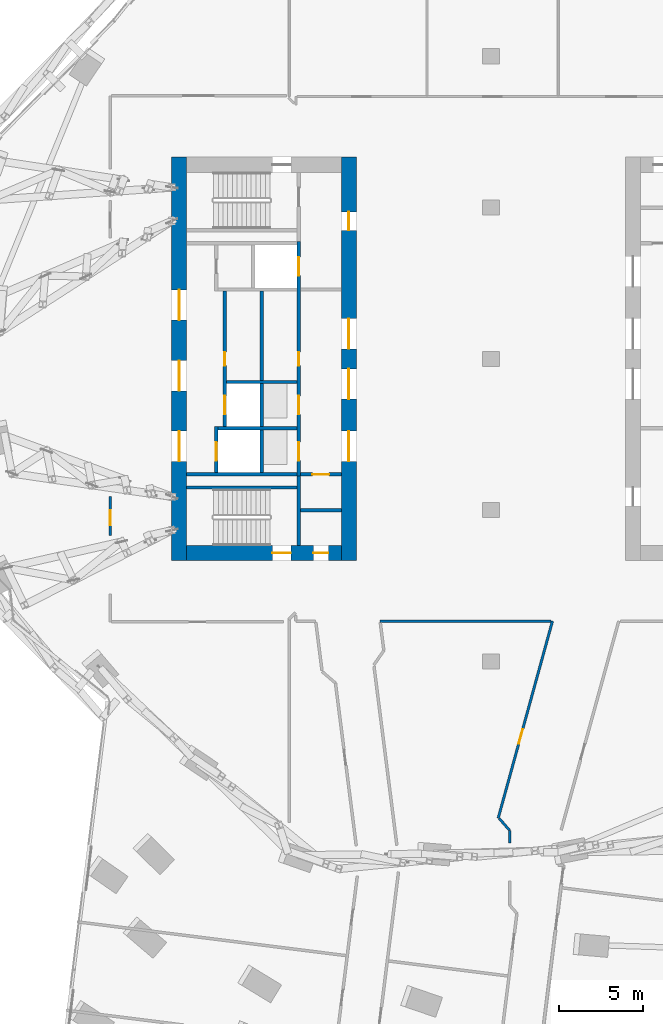
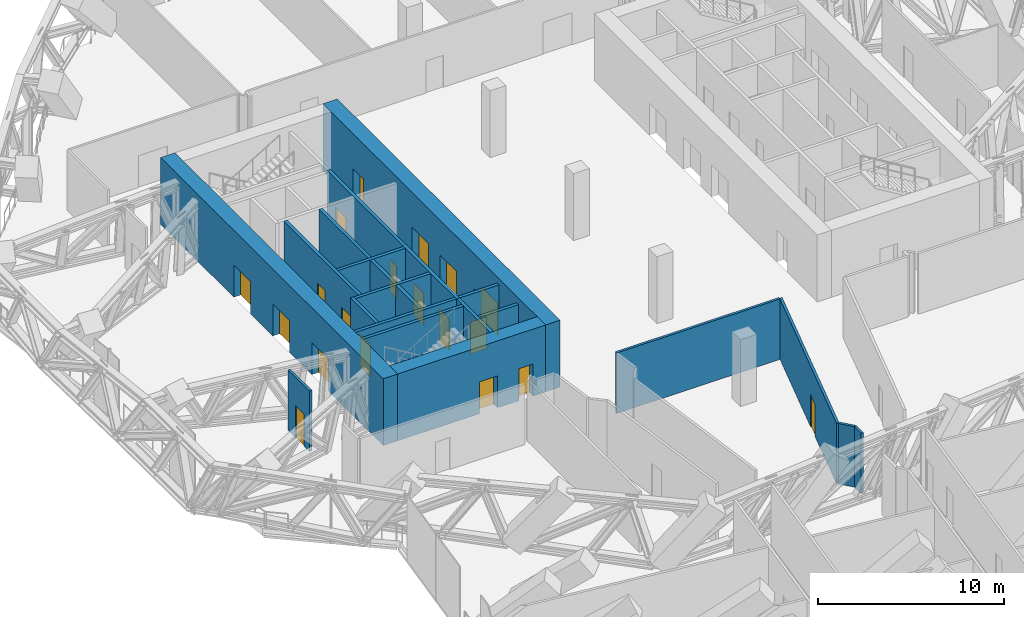
# One storey, part 19 of 27: 21 walls, 19 doors, 19 openings.
"""IFC4 building model written with IfcOpenShell, lengths in metres."""

from ifc_helpers import new_model, si_unit, direction, frame, frame_2d, origin, place, context, subcontext, project, spatial, rectangle, extrude, material, layer, layer_set, type_object, element, fill, save


model = new_model("IFC4")

# Units and contexts
model_context = context("Model", 3, precision=1e-05, world=origin(), true_north=direction((0.0, 1.0)))
body_context = subcontext(model_context, "Body", "Model", "MODEL_VIEW")
ifc_project = project(units=[si_unit("LENGTHUNIT", "METRE"), si_unit("AREAUNIT", "SQUARE_METRE"), si_unit("VOLUMEUNIT", "CUBIC_METRE"), si_unit("PLANEANGLEUNIT", "RADIAN"), si_unit("MASSUNIT", "GRAM", prefix="KILO")], contexts=[model_context])

# Site, building, storey
site_placement = place(None, origin())
site = spatial("IfcSite", under=ifc_project, at=site_placement, CompositionType="ELEMENT")
building_placement = place(site_placement, origin())
building = spatial("IfcBuilding", under=site, at=building_placement, Name="Orlundy Tower", CompositionType="ELEMENT")
storey_placement = place(building_placement, frame((0.0, 0.0, 206.10009765625)))
storey = spatial("IfcBuildingStorey", under=building, at=storey_placement, Name="L54", CompositionType="ELEMENT", Elevation=206.10009765625)

# Wall, openings, doors
ifc_material_1 = material(Name="Concrete C70/85", Category="concrete")
ifc_layer_1 = layer(ifc_material_1, 0.89990234375)
ifc_layer_set_1 = layer_set([ifc_layer_1], Name="CORE WALL 900 C70/85")
wall_type_1 = type_object("IfcWallType", Name="CORE WALL 900 C70/85", PredefinedType="SHEAR", material=ifc_layer_set_1)
wall_1_placement = place(storey_placement, frame((-18.10009765625, -11.550048828125, 0.0), z_axis=(0.0, 0.0, 1.0), x_axis=(1.0, 0.0, 0.0)))
wall_1 = element("IfcWall", 1, at=wall_1_placement, inside=storey, type_object=wall_type_1, Name="Core wall W-S L54", PredefinedType="SHEAR", context=body_context, shape_type="SweptSolid", body=[
    extrude(rectangle(XDim=9.2001953125, YDim=0.89990234375, at=frame_2d((4.60009765625, 0.0))), origin(), (0.0, 0.0, 1.0), 4.39990234375),
])
opening_1_placement = place(wall_1_placement, frame((5.10009765625, 0.0, 0.0)))
opening_1 = element("IfcOpeningElement", 2, at=opening_1_placement, cuts=wall_1, Name="Opening 41017", PredefinedType="OPENING", context=body_context, shape_type="SweptSolid", body=[
    extrude(rectangle(XDim=1.10009765625, YDim=2.10009765625, at=frame_2d((0.550048828125, 1.050048828125))), frame((0.0, 0.4599609375, 0.0), z_axis=(0.0, -1.0, 0.0), x_axis=(1.0, 0.0, 0.0)), (0.0, 0.0, 1.0), 0.919921875),
])
opening_2_placement = place(wall_1_placement, frame((7.530029296875, 0.0, 0.0)))
opening_2 = element("IfcOpeningElement", 3, at=opening_2_placement, cuts=wall_1, Name="Opening 41019", PredefinedType="OPENING", context=body_context, shape_type="SweptSolid", body=[
    extrude(rectangle(XDim=0.89990234375, YDim=2.10009765625, at=frame_2d((0.449951171875, 1.050048828125))), frame((0.0, 0.4599609375, 0.0), z_axis=(0.0, -1.0, 0.0), x_axis=(1.0, 0.0, 0.0)), (0.0, 0.0, 1.0), 0.919921875),
])
ifc_material_2 = material(Name="Timber door set", Category="wood")
door_type_1 = type_object("IfcDoorType", Name="Room Door 900x2100", OperationType="SINGLE_SWING_LEFT", PredefinedType="DOOR", material=ifc_material_2)
door_1_placement = place(opening_2_placement, origin())
door_1 = element("IfcDoor", 4, at=door_1_placement, inside=storey, type_object=door_type_1, Name="Store door 41019", OperationType="SINGLE_SWING_RIGHT", OverallHeight=2.10009765625, OverallWidth=0.89990234375, PredefinedType="DOOR", context=body_context, shape_type="SweptSolid", body=[
    extrude(rectangle(XDim=0.89990234375, YDim=2.10009765625, at=frame_2d((0.449951171875, 1.050048828125))), frame((0.0, 0.02490234375, 0.0), z_axis=(0.0, -1.0, 0.0), x_axis=(1.0, 0.0, 0.0)), (0.0, 0.0, 1.0), 0.050048828125),
])
fill(opening_2, door_1)
ifc_material_3 = material(Name="Steel door set", Category="steel")
door_type_2 = type_object("IfcDoorType", Name="Stair Door 1100x2100", OperationType="SINGLE_SWING_LEFT", PredefinedType="DOOR", material=ifc_material_3)
door_2_placement = place(opening_1_placement, origin())
door_2 = element("IfcDoor", 5, at=door_2_placement, inside=storey, type_object=door_type_2, Name="Stair door 41017", OperationType="SINGLE_SWING_RIGHT", OverallHeight=2.10009765625, OverallWidth=1.10009765625, PredefinedType="DOOR", context=body_context, shape_type="SweptSolid", body=[
    extrude(rectangle(XDim=1.10009765625, YDim=2.10009765625, at=frame_2d((0.550048828125, 1.050048828125))), frame((0.0, 0.02490234375, 0.0), z_axis=(0.0, -1.0, 0.0), x_axis=(1.0, 0.0, 0.0)), (0.0, 0.0, 1.0), 0.050048828125),
])
fill(opening_1, door_2)

wall_2_placement = place(storey_placement, frame((-18.550048828125, -12.0, 0.0), z_axis=(0.0, 0.0, 1.0), x_axis=(0.0, 1.0, 0.0)))
wall_2 = element("IfcWall", 6, at=wall_2_placement, inside=storey, type_object=wall_type_1, Name="Core wall W-W L54", PredefinedType="SHEAR", context=body_context, shape_type="SweptSolid", body=[
    extrude(rectangle(XDim=24.0, YDim=0.89990234375, at=frame_2d((12.0, 0.0))), origin(), (0.0, 0.0, 1.0), 4.39990234375),
])
opening_3_placement = place(wall_2_placement, frame((5.89990234375, 0.0, 0.0)))
opening_3 = element("IfcOpeningElement", 7, at=opening_3_placement, cuts=wall_2, Name="Opening 41010", PredefinedType="OPENING", context=body_context, shape_type="SweptSolid", body=[
    extrude(rectangle(XDim=1.800048828125, YDim=2.10009765625, at=frame_2d((0.89990234375, 1.050048828125))), frame((0.0, 0.4599609375, 0.0), z_axis=(0.0, -1.0, 0.0), x_axis=(1.0, 0.0, 0.0)), (0.0, 0.0, 1.0), 0.919921875),
])
opening_4_placement = place(wall_2_placement, frame((10.10009765625, 0.0, 0.0)))
opening_4 = element("IfcOpeningElement", 8, at=opening_4_placement, cuts=wall_2, Name="Opening 41011", PredefinedType="OPENING", context=body_context, shape_type="SweptSolid", body=[
    extrude(rectangle(XDim=1.800048828125, YDim=2.10009765625, at=frame_2d((0.89990234375, 1.050048828125))), frame((0.0, 0.4599609375, 0.0), z_axis=(0.0, -1.0, 0.0), x_axis=(1.0, 0.0, 0.0)), (0.0, 0.0, 1.0), 0.919921875),
])
opening_5_placement = place(wall_2_placement, frame((14.300048828125, 0.0, 0.0)))
opening_5 = element("IfcOpeningElement", 9, at=opening_5_placement, cuts=wall_2, Name="Opening 41012", PredefinedType="OPENING", context=body_context, shape_type="SweptSolid", body=[
    extrude(rectangle(XDim=1.800048828125, YDim=2.10009765625, at=frame_2d((0.89990234375, 1.050048828125))), frame((0.0, 0.4599609375, 0.0), z_axis=(0.0, -1.0, 0.0), x_axis=(1.0, 0.0, 0.0)), (0.0, 0.0, 1.0), 0.919921875),
])
ifc_material_4 = material(Name="Timber door set", Category="wood")
door_type_3 = type_object("IfcDoorType", Name="Lobby Door 1800x2100", OperationType="DOUBLE_DOOR_DOUBLE_SWING", PredefinedType="DOOR", material=ifc_material_4)
door_3_placement = place(opening_3_placement, origin())
door_3 = element("IfcDoor", 10, at=door_3_placement, inside=storey, type_object=door_type_3, Name="Lift lobby door 41010", OperationType="SINGLE_SWING_LEFT", OverallHeight=2.10009765625, OverallWidth=1.800048828125, PredefinedType="DOOR", context=body_context, shape_type="SweptSolid", body=[
    extrude(rectangle(XDim=1.800048828125, YDim=2.10009765625, at=frame_2d((0.89990234375, 1.050048828125))), frame((0.0, 0.02490234375, 0.0), z_axis=(0.0, -1.0, 0.0), x_axis=(1.0, 0.0, 0.0)), (0.0, 0.0, 1.0), 0.050048828125),
])
fill(opening_3, door_3)
door_4_placement = place(opening_4_placement, origin())
door_4 = element("IfcDoor", 11, at=door_4_placement, inside=storey, type_object=door_type_3, Name="Lift lobby door 41011", OperationType="SINGLE_SWING_LEFT", OverallHeight=2.10009765625, OverallWidth=1.800048828125, PredefinedType="DOOR", context=body_context, shape_type="SweptSolid", body=[
    extrude(rectangle(XDim=1.800048828125, YDim=2.10009765625, at=frame_2d((0.89990234375, 1.050048828125))), frame((0.0, 0.02490234375, 0.0), z_axis=(0.0, -1.0, 0.0), x_axis=(1.0, 0.0, 0.0)), (0.0, 0.0, 1.0), 0.050048828125),
])
fill(opening_4, door_4)
door_5_placement = place(opening_5_placement, origin())
door_5 = element("IfcDoor", 12, at=door_5_placement, inside=storey, type_object=door_type_3, Name="Lift lobby door 41012", OperationType="SINGLE_SWING_RIGHT", OverallHeight=2.10009765625, OverallWidth=1.800048828125, PredefinedType="DOOR", context=body_context, shape_type="SweptSolid", body=[
    extrude(rectangle(XDim=1.800048828125, YDim=2.10009765625, at=frame_2d((0.89990234375, 1.050048828125))), frame((0.0, 0.02490234375, 0.0), z_axis=(0.0, -1.0, 0.0), x_axis=(1.0, 0.0, 0.0)), (0.0, 0.0, 1.0), 0.050048828125),
])
fill(opening_5, door_5)

wall_3_placement = place(storey_placement, frame((-8.449951171875, -12.0, 0.0), z_axis=(0.0, 0.0, 1.0), x_axis=(0.0, 1.0, 0.0)))
wall_3 = element("IfcWall", 13, at=wall_3_placement, inside=storey, type_object=wall_type_1, Name="Core wall W-E L54", PredefinedType="SHEAR", context=body_context, shape_type="SweptSolid", body=[
    extrude(rectangle(XDim=24.0, YDim=0.89990234375, at=frame_2d((12.0, 0.0))), origin(), (0.0, 0.0, 1.0), 4.39990234375),
])
opening_6_placement = place(wall_3_placement, frame((9.60009765625, 0.0, 0.0)))
opening_6 = element("IfcOpeningElement", 14, at=opening_6_placement, cuts=wall_3, Name="Opening 41009", PredefinedType="OPENING", context=body_context, shape_type="SweptSolid", body=[
    extrude(rectangle(XDim=1.800048828125, YDim=2.10009765625, at=frame_2d((0.89990234375, 1.050048828125))), frame((0.0, 0.4599609375, 0.0), z_axis=(0.0, -1.0, 0.0), x_axis=(1.0, 0.0, 0.0)), (0.0, 0.0, 1.0), 0.919921875),
])
opening_7_placement = place(wall_3_placement, frame((5.89990234375, 0.0, 0.0)))
opening_7 = element("IfcOpeningElement", 15, at=opening_7_placement, cuts=wall_3, Name="Opening 41013", PredefinedType="OPENING", context=body_context, shape_type="SweptSolid", body=[
    extrude(rectangle(XDim=1.800048828125, YDim=2.10009765625, at=frame_2d((0.89990234375, 1.050048828125))), frame((0.0, 0.4599609375, 0.0), z_axis=(0.0, -1.0, 0.0), x_axis=(1.0, 0.0, 0.0)), (0.0, 0.0, 1.0), 0.919921875),
])
opening_8_placement = place(wall_3_placement, frame((12.60009765625, 0.0, 0.0)))
opening_8 = element("IfcOpeningElement", 16, at=opening_8_placement, cuts=wall_3, Name="Opening 41014", PredefinedType="OPENING", context=body_context, shape_type="SweptSolid", body=[
    extrude(rectangle(XDim=1.800048828125, YDim=2.10009765625, at=frame_2d((0.89990234375, 1.050048828125))), frame((0.0, 0.4599609375, 0.0), z_axis=(0.0, -1.0, 0.0), x_axis=(1.0, 0.0, 0.0)), (0.0, 0.0, 1.0), 0.919921875),
])
opening_9_placement = place(wall_3_placement, frame((19.64990234375, 0.0, 0.0)))
opening_9 = element("IfcOpeningElement", 17, at=opening_9_placement, cuts=wall_3, Name="Opening 41015", PredefinedType="OPENING", context=body_context, shape_type="SweptSolid", body=[
    extrude(rectangle(XDim=1.10009765625, YDim=2.10009765625, at=frame_2d((0.550048828125, 1.050048828125))), frame((0.0, 0.4599609375, 0.0), z_axis=(0.0, -1.0, 0.0), x_axis=(1.0, 0.0, 0.0)), (0.0, 0.0, 1.0), 0.919921875),
])
ifc_material_5 = material(Name="Steel door set", Category="steel")
door_type_4 = type_object("IfcDoorType", Name="Fire-fighting Lobby Door 1100x2100", OperationType="SINGLE_SWING_LEFT", PredefinedType="DOOR", material=ifc_material_5)
door_6_placement = place(opening_9_placement, origin())
door_6 = element("IfcDoor", 18, at=door_6_placement, inside=storey, type_object=door_type_4, Name="Fire-fighting lobby door 41015", OperationType="SINGLE_SWING_RIGHT", OverallHeight=2.10009765625, OverallWidth=1.10009765625, PredefinedType="DOOR", context=body_context, shape_type="SweptSolid", body=[
    extrude(rectangle(XDim=1.10009765625, YDim=2.10009765625, at=frame_2d((0.550048828125, 1.050048828125))), frame((0.0, 0.02490234375, 0.0), z_axis=(0.0, -1.0, 0.0), x_axis=(1.0, 0.0, 0.0)), (0.0, 0.0, 1.0), 0.050048828125),
])
fill(opening_9, door_6)
door_7_placement = place(opening_6_placement, origin())
door_7 = element("IfcDoor", 19, at=door_7_placement, inside=storey, type_object=door_type_3, Name="Lift lobby door 41009", OperationType="SINGLE_SWING_LEFT", OverallHeight=2.10009765625, OverallWidth=1.800048828125, PredefinedType="DOOR", context=body_context, shape_type="SweptSolid", body=[
    extrude(rectangle(XDim=1.800048828125, YDim=2.10009765625, at=frame_2d((0.89990234375, 1.050048828125))), frame((0.0, 0.02490234375, 0.0), z_axis=(0.0, -1.0, 0.0), x_axis=(1.0, 0.0, 0.0)), (0.0, 0.0, 1.0), 0.050048828125),
])
fill(opening_6, door_7)
door_8_placement = place(opening_7_placement, origin())
door_8 = element("IfcDoor", 20, at=door_8_placement, inside=storey, type_object=door_type_3, Name="Lift lobby door 41013", OperationType="SINGLE_SWING_LEFT", OverallHeight=2.10009765625, OverallWidth=1.800048828125, PredefinedType="DOOR", context=body_context, shape_type="SweptSolid", body=[
    extrude(rectangle(XDim=1.800048828125, YDim=2.10009765625, at=frame_2d((0.89990234375, 1.050048828125))), frame((0.0, 0.02490234375, 0.0), z_axis=(0.0, -1.0, 0.0), x_axis=(1.0, 0.0, 0.0)), (0.0, 0.0, 1.0), 0.050048828125),
])
fill(opening_7, door_8)
door_9_placement = place(opening_8_placement, origin())
door_9 = element("IfcDoor", 21, at=door_9_placement, inside=storey, type_object=door_type_3, Name="Lift lobby door 41014", OperationType="SINGLE_SWING_RIGHT", OverallHeight=2.10009765625, OverallWidth=1.800048828125, PredefinedType="DOOR", context=body_context, shape_type="SweptSolid", body=[
    extrude(rectangle(XDim=1.800048828125, YDim=2.10009765625, at=frame_2d((0.89990234375, 1.050048828125))), frame((0.0, 0.02490234375, 0.0), z_axis=(0.0, -1.0, 0.0), x_axis=(1.0, 0.0, 0.0)), (0.0, 0.0, 1.0), 0.050048828125),
])
fill(opening_8, door_9)

# Walls
ifc_material_6 = material(Name="Blockwork shaft wall", Category="masonry")
ifc_layer_2 = layer(ifc_material_6, 0.14990234375)
ifc_layer_set_2 = layer_set([ifc_layer_2], Name="Floor shaft wall 150")
wall_type_2 = type_object("IfcWallType", Name="Floor shaft wall 150", PredefinedType="PARTITIONING", material=ifc_layer_set_2)
wall_4_placement = place(storey_placement, frame((0.501953125, -27.35205078125, 0.0), z_axis=(0.0, 0.0, 1.0), x_axis=(0.656507674583, -0.754319344319, 0.0)))
element("IfcWall", 22, at=wall_4_placement, inside=storey, type_object=wall_type_2, Name="wall-int-L54-008", PredefinedType="PARTITIONING", context=body_context, shape_type="SweptSolid", body=[
    extrude(rectangle(XDim=0.91845703125, YDim=0.14990234375, at=frame_2d((0.459228515625, 0.0))), origin(), (0.0, 0.0, 1.0), 3.97998046875),
])
wall_5_placement = place(storey_placement, frame((-6.594970703125, -15.60009765625, 0.0), z_axis=(0.0, 0.0, 1.0), x_axis=(1.0, 0.0, 0.0)))
element("IfcWall", 23, at=wall_5_placement, inside=storey, type_object=wall_type_2, Name="wall-int-L54-026", PredefinedType="PARTITIONING", context=body_context, shape_type="SweptSolid", body=[
    extrude(rectangle(XDim=10.156982421875, YDim=0.14990234375, at=frame_2d((5.07861328125, 0.0))), origin(), (0.0, 0.0, 1.0), 3.97998046875),
])

# Wall, opening, door
wall_6_placement = place(storey_placement, frame((0.429931640625, -27.33203125, 0.0), z_axis=(0.0, 0.0, 1.0), x_axis=(0.265459601419, 0.964121983991, 0.0)))
wall_6 = element("IfcWall", 24, at=wall_6_placement, inside=storey, type_object=wall_type_2, Name="wall-int-L54-039", PredefinedType="PARTITIONING", context=body_context, shape_type="SweptSolid", body=[
    extrude(rectangle(XDim=12.16748046875, YDim=0.14990234375, at=frame_2d((6.083740234375, 0.0))), origin(), (0.0, 0.0, 1.0), 3.97998046875),
])
opening_10_placement = place(wall_6_placement, frame((4.60009765625, 0.0, 0.0)))
opening_10 = element("IfcOpeningElement", 25, at=opening_10_placement, cuts=wall_6, Name="Opening 41115", PredefinedType="OPENING", context=body_context, shape_type="SweptSolid", body=[
    extrude(rectangle(XDim=0.89990234375, YDim=2.10009765625, at=frame_2d((0.449951171875, 1.050048828125))), frame((0.0, 0.0849609375, 0.0), z_axis=(0.0, -1.0, 0.0), x_axis=(1.0, 0.0, 0.0)), (0.0, 0.0, 1.0), 0.169921875),
])
ifc_material_7 = material(Name="Timber door leaf", Category="wood")
door_type_5 = type_object("IfcDoorType", Name="Floor door single 900 FD60", OperationType="NOTDEFINED", PredefinedType="DOOR", material=ifc_material_7)
door_10_placement = place(opening_10_placement, origin())
door_10 = element("IfcDoor", 26, at=door_10_placement, inside=storey, type_object=door_type_5, Name="Door 41115", OperationType="SINGLE_SWING_LEFT", OverallHeight=2.10009765625, OverallWidth=0.89990234375, PredefinedType="DOOR", context=body_context, shape_type="SweptSolid", body=[
    extrude(rectangle(XDim=0.89990234375, YDim=2.10009765625, at=frame_2d((0.449951171875, 1.050048828125))), frame((0.0, 0.02490234375, 0.0), z_axis=(0.0, -1.0, 0.0), x_axis=(1.0, 0.0, 0.0)), (0.0, 0.0, 1.0), 0.050048828125),
])
fill(opening_10, door_10)

# Wall
wall_7_placement = place(storey_placement, frame((1.10498046875, -28.79296875, 0.0), z_axis=(0.0, 0.0, 1.0), x_axis=(0.0, 1.0, 0.0)))
element("IfcWall", 27, at=wall_7_placement, inside=storey, type_object=wall_type_2, Name="wall-int-L54-061", PredefinedType="PARTITIONING", context=body_context, shape_type="SweptSolid", body=[
    extrude(rectangle(XDim=0.748046875, YDim=0.14990234375, at=frame_2d((0.3740234375, 0.0))), origin(), (0.0, 0.0, 1.0), 3.97998046875),
])

# Wall, opening, door
wall_8_placement = place(storey_placement, frame((-22.64990234375, -10.493896484375, 0.0), z_axis=(0.0, 0.0, 1.0), x_axis=(0.0, 1.0, 0.0)))
wall_8 = element("IfcWall", 28, at=wall_8_placement, inside=storey, type_object=wall_type_2, Name="wall-int-L54-067", PredefinedType="PARTITIONING", context=body_context, shape_type="SweptSolid", body=[
    extrude(rectangle(XDim=2.296875, YDim=0.14990234375, at=frame_2d((1.1484375, 0.0))), origin(), (0.0, 0.0, 1.0), 3.97998046875),
])
opening_11_placement = place(wall_8_placement, frame((0.60009765625, 0.0, 0.0)))
opening_11 = element("IfcOpeningElement", 29, at=opening_11_placement, cuts=wall_8, Name="Opening 41112", PredefinedType="OPENING", context=body_context, shape_type="SweptSolid", body=[
    extrude(rectangle(XDim=0.89990234375, YDim=2.10009765625, at=frame_2d((0.449951171875, 1.050048828125))), frame((0.0, 0.0849609375, 0.0), z_axis=(0.0, -1.0, 0.0), x_axis=(1.0, 0.0, 0.0)), (0.0, 0.0, 1.0), 0.169921875),
])
door_11_placement = place(opening_11_placement, origin())
door_11 = element("IfcDoor", 30, at=door_11_placement, inside=storey, type_object=door_type_5, Name="Door 41112", OperationType="SINGLE_SWING_LEFT", OverallHeight=2.10009765625, OverallWidth=0.89990234375, PredefinedType="DOOR", context=body_context, shape_type="SweptSolid", body=[
    extrude(rectangle(XDim=0.89990234375, YDim=2.10009765625, at=frame_2d((0.449951171875, 1.050048828125))), frame((0.0, 0.02490234375, 0.0), z_axis=(0.0, -1.0, 0.0), x_axis=(1.0, 0.0, 0.0)), (0.0, 0.0, 1.0), 0.050048828125),
])
fill(opening_11, door_11)

# Walls
ifc_material_8 = material(Name="Concrete C40/50", Category="concrete")
ifc_layer_3 = layer(ifc_material_8, 0.199951171875)
ifc_layer_set_3 = layer_set([ifc_layer_3], Name="Load-bearing Shaft Wall 200")
wall_type_3 = type_object("IfcWallType", Name="Load-bearing Shaft Wall 200", PredefinedType="SOLIDWALL", material=ifc_layer_set_3)
wall_9_placement = place(storey_placement, frame((-11.43994140625, -11.10009765625, 0.0), z_axis=(0.0, 0.0, 1.0), x_axis=(0.0, 1.0, 0.0)))
element("IfcWall", 31, at=wall_9_placement, inside=storey, type_object=wall_type_3, Name="Shaft wall W41-stair-end-s", PredefinedType="SOLIDWALL", context=body_context, shape_type="SweptSolid", body=[
    extrude(rectangle(XDim=4.125, YDim=0.199951171875, at=frame_2d((2.0625, 0.0))), origin(), (0.0, 0.0, 1.0), 3.989990234375),
])
wall_10_placement = place(storey_placement, frame((-11.5400390625, -7.64990234375, 0.0), z_axis=(0.0, 0.0, 1.0), x_axis=(-1.0, 0.0, 0.0)))
element("IfcWall", 32, at=wall_10_placement, inside=storey, type_object=wall_type_3, Name="Shaft wall W41-stair-side-s", PredefinedType="SOLIDWALL", context=body_context, shape_type="SweptSolid", body=[
    extrude(rectangle(XDim=6.56005859375, YDim=0.199951171875, at=frame_2d((3.280029296875, 0.0))), origin(), (0.0, 0.0, 1.0), 3.989990234375),
])

# Wall, opening, door
ifc_material_9 = material(Name="Gypsum board partition on steel studs", Category="steel")
ifc_layer_4 = layer(ifc_material_9, 0.199951171875)
ifc_layer_set_4 = layer_set([ifc_layer_4], Name="Partition 200")
wall_type_4 = type_object("IfcWallType", Name="Partition 200", PredefinedType="PARTITIONING", material=ifc_layer_set_4)
wall_11_placement = place(storey_placement, frame((-8.89990234375, -6.875, 0.0), z_axis=(0.0, 0.0, 1.0), x_axis=(-1.0, 0.0, 0.0)))
wall_11 = element("IfcWall", 33, at=wall_11_placement, inside=storey, type_object=wall_type_4, Name="Partition wall W41-end-s", PredefinedType="PARTITIONING", context=body_context, shape_type="SweptSolid", body=[
    extrude(rectangle(XDim=2.440185546875, YDim=0.199951171875, at=frame_2d((1.22021484375, 0.0))), origin(), (0.0, 0.0, 1.0), 3.989990234375),
])
opening_12_placement = place(wall_11_placement, frame((0.719970703125, 0.0, 0.0)))
opening_12 = element("IfcOpeningElement", 34, at=opening_12_placement, cuts=wall_11, Name="Opening 41020", PredefinedType="OPENING", context=body_context, shape_type="SweptSolid", body=[
    extrude(rectangle(XDim=1.0, YDim=2.10009765625, at=frame_2d((0.5, 1.050048828125))), frame((0.0, 0.110107421875, 0.0), z_axis=(0.0, -1.0, 0.0), x_axis=(1.0, 0.0, 0.0)), (0.0, 0.0, 1.0), 0.22021484375),
])
ifc_material_10 = material(Name="Timber door set", Category="wood")
door_type_6 = type_object("IfcDoorType", Name="Accessible Door 1000x2100", OperationType="SINGLE_SWING_LEFT", PredefinedType="DOOR", material=ifc_material_10)
door_12_placement = place(opening_12_placement, origin())
door_12 = element("IfcDoor", 35, at=door_12_placement, inside=storey, type_object=door_type_6, Name="Accessible WC door 41020", OperationType="SINGLE_SWING_RIGHT", OverallHeight=2.10009765625, OverallWidth=1.0, PredefinedType="DOOR", context=body_context, shape_type="SweptSolid", body=[
    extrude(rectangle(XDim=1.0, YDim=2.10009765625, at=frame_2d((0.5, 1.050048828125))), frame((0.0, 0.02490234375, 0.0), z_axis=(0.0, -1.0, 0.0), x_axis=(1.0, 0.0, 0.0)), (0.0, 0.0, 1.0), 0.050048828125),
])
fill(opening_12, door_12)

# Walls
wall_12_placement = place(storey_placement, frame((-8.89990234375, -9.0, 0.0), z_axis=(0.0, 0.0, 1.0), x_axis=(-1.0, 0.0, 0.0)))
element("IfcWall", 36, at=wall_12_placement, inside=storey, type_object=wall_type_4, Name="Partition wall W41-room-s0", PredefinedType="PARTITIONING", context=body_context, shape_type="SweptSolid", body=[
    extrude(rectangle(XDim=2.440185546875, YDim=0.199951171875, at=frame_2d((1.22021484375, 0.0))), origin(), (0.0, 0.0, 1.0), 3.989990234375),
])
ifc_material_11 = material(Name="Fire-rated blockwork shaft wall", Category="masonry")
ifc_layer_5 = layer(ifc_material_11, 0.199951171875)
ifc_layer_set_5 = layer_set([ifc_layer_5], Name="Shaft Wall 200")
wall_type_5 = type_object("IfcWallType", Name="Shaft Wall 200", PredefinedType="SOLIDWALL", material=ifc_layer_set_5)
wall_13_placement = place(storey_placement, frame((-11.5400390625, -6.875, 0.0), z_axis=(0.0, 0.0, 1.0), x_axis=(-1.0, 0.0, 0.0)))
element("IfcWall", 37, at=wall_13_placement, inside=storey, type_object=wall_type_5, Name="Shaft wall W41-zone-s", PredefinedType="SOLIDWALL", context=body_context, shape_type="SweptSolid", body=[
    extrude(rectangle(XDim=6.56005859375, YDim=0.199951171875, at=frame_2d((3.280029296875, 0.0))), origin(), (0.0, 0.0, 1.0), 3.989990234375),
])
wall_14_placement = place(storey_placement, frame((-11.5400390625, -4.125, 0.0), z_axis=(0.0, 0.0, 1.0), x_axis=(-1.0, 0.0, 0.0)))
element("IfcWall", 38, at=wall_14_placement, inside=storey, type_object=wall_type_5, Name="Shaft wall W41-cross-4.125", PredefinedType="SOLIDWALL", context=body_context, shape_type="SweptSolid", body=[
    extrude(rectangle(XDim=4.699951171875, YDim=0.199951171875, at=frame_2d((2.35009765625, 0.0))), origin(), (0.0, 0.0, 1.0), 3.989990234375),
])
wall_15_placement = place(storey_placement, frame((-11.5400390625, -1.375, 0.0), z_axis=(0.0, 0.0, 1.0), x_axis=(-1.0, 0.0, 0.0)))
element("IfcWall", 39, at=wall_15_placement, inside=storey, type_object=wall_type_5, Name="Shaft wall W41-cross-1.375", PredefinedType="SOLIDWALL", context=body_context, shape_type="SweptSolid", body=[
    extrude(rectangle(XDim=4.199951171875, YDim=0.199951171875, at=frame_2d((2.10009765625, 0.0))), origin(), (0.0, 0.0, 1.0), 3.989990234375),
])

# Wall, openings, doors
wall_16_placement = place(storey_placement, frame((-11.43994140625, -6.97509765625, 0.0), z_axis=(0.0, 0.0, 1.0), x_axis=(0.0, 1.0, 0.0)))
wall_16 = element("IfcWall", 40, at=wall_16_placement, inside=storey, type_object=wall_type_5, Name="Shaft wall W41-front-h", PredefinedType="SOLIDWALL", context=body_context, shape_type="SweptSolid", body=[
    extrude(rectangle(XDim=13.9501953125, YDim=0.199951171875, at=frame_2d((6.97509765625, 0.0))), origin(), (0.0, 0.0, 1.0), 3.989990234375),
])
opening_13_placement = place(wall_16_placement, frame((0.925048828125, 0.0, 0.0)))
opening_13 = element("IfcOpeningElement", 41, at=opening_13_placement, cuts=wall_16, Name="Opening 41001", PredefinedType="OPENING", context=body_context, shape_type="SweptSolid", body=[
    extrude(rectangle(XDim=1.10009765625, YDim=2.10009765625, at=frame_2d((0.550048828125, 1.050048828125))), frame((0.0, 0.110107421875, 0.0), z_axis=(0.0, -1.0, 0.0), x_axis=(1.0, 0.0, 0.0)), (0.0, 0.0, 1.0), 0.22021484375),
])
opening_14_placement = place(wall_16_placement, frame((3.675048828125, 0.0, 0.0)))
opening_14 = element("IfcOpeningElement", 42, at=opening_14_placement, cuts=wall_16, Name="Opening 41003", PredefinedType="OPENING", context=body_context, shape_type="SweptSolid", body=[
    extrude(rectangle(XDim=1.10009765625, YDim=2.10009765625, at=frame_2d((0.550048828125, 1.050048828125))), frame((0.0, 0.110107421875, 0.0), z_axis=(0.0, -1.0, 0.0), x_axis=(1.0, 0.0, 0.0)), (0.0, 0.0, 1.0), 0.22021484375),
])
opening_15_placement = place(wall_16_placement, frame((11.925048828125, 0.0, 0.0)))
opening_15 = element("IfcOpeningElement", 43, at=opening_15_placement, cuts=wall_16, Name="Opening 41005", PredefinedType="OPENING", context=body_context, shape_type="SweptSolid", body=[
    extrude(rectangle(XDim=1.10009765625, YDim=2.10009765625, at=frame_2d((0.550048828125, 1.050048828125))), frame((0.0, 0.110107421875, 0.0), z_axis=(0.0, -1.0, 0.0), x_axis=(1.0, 0.0, 0.0)), (0.0, 0.0, 1.0), 0.22021484375),
])
opening_16_placement = place(wall_16_placement, frame((6.574951171875, 0.0, 0.0)))
opening_16 = element("IfcOpeningElement", 44, at=opening_16_placement, cuts=wall_16, Name="Opening 41006", PredefinedType="OPENING", context=body_context, shape_type="SweptSolid", body=[
    extrude(rectangle(XDim=0.800048828125, YDim=2.10009765625, at=frame_2d((0.39990234375, 1.050048828125))), frame((0.0, 0.110107421875, 0.0), z_axis=(0.0, -1.0, 0.0), x_axis=(1.0, 0.0, 0.0)), (0.0, 0.0, 1.0), 0.22021484375),
])
ifc_material_12 = material(Name="Steel door set", Category="steel")
door_type_7 = type_object("IfcDoorType", Name="Landing Door 1100x2100", OperationType="DOUBLE_DOOR_SLIDING", PredefinedType="DOOR", material=ifc_material_12)
door_13_placement = place(opening_13_placement, origin())
door_13 = element("IfcDoor", 45, at=door_13_placement, inside=storey, type_object=door_type_7, Name="Lift landing door LP-22 41001", OperationType="DOUBLE_DOOR_SLIDING", OverallHeight=2.10009765625, OverallWidth=1.10009765625, PredefinedType="DOOR", context=body_context, shape_type="SweptSolid", body=[
    extrude(rectangle(XDim=1.10009765625, YDim=2.10009765625, at=frame_2d((0.550048828125, 1.050048828125))), frame((0.0, 0.02490234375, 0.0), z_axis=(0.0, -1.0, 0.0), x_axis=(1.0, 0.0, 0.0)), (0.0, 0.0, 1.0), 0.050048828125),
])
fill(opening_13, door_13)
door_14_placement = place(opening_14_placement, origin())
door_14 = element("IfcDoor", 46, at=door_14_placement, inside=storey, type_object=door_type_7, Name="Lift landing door LP-21 41003", OperationType="DOUBLE_DOOR_SLIDING", OverallHeight=2.10009765625, OverallWidth=1.10009765625, PredefinedType="DOOR", context=body_context, shape_type="SweptSolid", body=[
    extrude(rectangle(XDim=1.10009765625, YDim=2.10009765625, at=frame_2d((0.550048828125, 1.050048828125))), frame((0.0, 0.02490234375, 0.0), z_axis=(0.0, -1.0, 0.0), x_axis=(1.0, 0.0, 0.0)), (0.0, 0.0, 1.0), 0.050048828125),
])
fill(opening_14, door_14)
door_15_placement = place(opening_15_placement, origin())
door_15 = element("IfcDoor", 47, at=door_15_placement, inside=storey, type_object=door_type_7, Name="Lift landing door FL1 41005", OperationType="DOUBLE_DOOR_SLIDING", OverallHeight=2.10009765625, OverallWidth=1.10009765625, PredefinedType="DOOR", context=body_context, shape_type="SweptSolid", body=[
    extrude(rectangle(XDim=1.10009765625, YDim=2.10009765625, at=frame_2d((0.550048828125, 1.050048828125))), frame((0.0, 0.02490234375, 0.0), z_axis=(0.0, -1.0, 0.0), x_axis=(1.0, 0.0, 0.0)), (0.0, 0.0, 1.0), 0.050048828125),
])
fill(opening_15, door_15)
ifc_material_13 = material(Name="Timber door set", Category="wood")
door_type_8 = type_object("IfcDoorType", Name="Riser Door 800x2100", OperationType="SINGLE_SWING_LEFT", PredefinedType="DOOR", material=ifc_material_13)
door_16_placement = place(opening_16_placement, origin())
door_16 = element("IfcDoor", 48, at=door_16_placement, inside=storey, type_object=door_type_8, Name="Records Store door 41006", OperationType="SINGLE_SWING_LEFT", OverallHeight=2.10009765625, OverallWidth=0.800048828125, PredefinedType="DOOR", context=body_context, shape_type="SweptSolid", body=[
    extrude(rectangle(XDim=0.800048828125, YDim=2.10009765625, at=frame_2d((0.39990234375, 1.050048828125))), frame((0.0, 0.02490234375, 0.0), z_axis=(0.0, -1.0, 0.0), x_axis=(1.0, 0.0, 0.0)), (0.0, 0.0, 1.0), 0.050048828125),
])
fill(opening_16, door_16)

# Walls
for number, where, z_axis, x_axis, name in (
    (49, (-13.639892578125, -6.77490234375, 0.0), (0.0, 0.0, 1.0), (0.0, 1.0, 0.0), "Shaft wall W41-mid-a"),
    (50, (-13.639892578125, -4.02490234375, 0.0), (0.0, 0.0, 1.0), (0.0, 1.0, 0.0), "Shaft wall W41-mid-a.1"),
):
    element("IfcWall", number, at=place(storey_placement, frame(where, z_axis=z_axis, x_axis=x_axis)), inside=storey, type_object=wall_type_5, Name=name, PredefinedType="SOLIDWALL", context=body_context, shape_type="SweptSolid", body=[
        extrude(rectangle(XDim=2.5498046875, YDim=0.199951171875, at=frame_2d((1.27490234375, 0.0))), origin(), (0.0, 0.0, 1.0), 3.989990234375),
    ])
wall_17_placement = place(storey_placement, frame((-13.639892578125, -1.27490234375, 0.0), z_axis=(0.0, 0.0, 1.0), x_axis=(0.0, 1.0, 0.0)))
element("IfcWall", 51, at=wall_17_placement, inside=storey, type_object=wall_type_5, Name="Shaft wall W41-mid-a.2", PredefinedType="SOLIDWALL", context=body_context, shape_type="SweptSolid", body=[
    extrude(rectangle(XDim=5.2998046875, YDim=0.199951171875, at=frame_2d((2.64990234375, 0.0))), origin(), (0.0, 0.0, 1.0), 3.989990234375),
])

# Wall, opening, door
wall_18_placement = place(storey_placement, frame((-16.340087890625, -6.77490234375, 0.0), z_axis=(0.0, 0.0, 1.0), x_axis=(0.0, 1.0, 0.0)))
wall_18 = element("IfcWall", 52, at=wall_18_placement, inside=storey, type_object=wall_type_5, Name="Shaft wall W41-front-o-a", PredefinedType="SOLIDWALL", context=body_context, shape_type="SweptSolid", body=[
    extrude(rectangle(XDim=2.75, YDim=0.199951171875, at=frame_2d((1.375, 0.0))), origin(), (0.0, 0.0, 1.0), 3.989990234375),
])
opening_17_placement = place(wall_18_placement, frame((0.72509765625, 0.0, 0.0)))
opening_17 = element("IfcOpeningElement", 53, at=opening_17_placement, cuts=wall_18, Name="Opening 41002", PredefinedType="OPENING", context=body_context, shape_type="SweptSolid", body=[
    extrude(rectangle(XDim=1.10009765625, YDim=2.10009765625, at=frame_2d((0.550048828125, 1.050048828125))), frame((0.0, 0.110107421875, 0.0), z_axis=(0.0, -1.0, 0.0), x_axis=(1.0, 0.0, 0.0)), (0.0, 0.0, 1.0), 0.22021484375),
])
door_17_placement = place(opening_17_placement, origin())
door_17 = element("IfcDoor", 54, at=door_17_placement, inside=storey, type_object=door_type_7, Name="Lift landing door LV-01 41002", OperationType="DOUBLE_DOOR_SLIDING", OverallHeight=2.10009765625, OverallWidth=1.10009765625, PredefinedType="DOOR", context=body_context, shape_type="SweptSolid", body=[
    extrude(rectangle(XDim=1.10009765625, YDim=2.10009765625, at=frame_2d((0.550048828125, 1.050048828125))), frame((0.0, 0.02490234375, 0.0), z_axis=(0.0, -1.0, 0.0), x_axis=(1.0, 0.0, 0.0)), (0.0, 0.0, 1.0), 0.050048828125),
])
fill(opening_17, door_17)

# Wall, openings, doors
wall_19_placement = place(storey_placement, frame((-15.840087890625, -4.02490234375, 0.0), z_axis=(0.0, 0.0, 1.0), x_axis=(0.0, 1.0, 0.0)))
wall_19 = element("IfcWall", 55, at=wall_19_placement, inside=storey, type_object=wall_type_5, Name="Shaft wall W41-front-o-b", PredefinedType="SOLIDWALL", context=body_context, shape_type="SweptSolid", body=[
    extrude(rectangle(XDim=8.0498046875, YDim=0.199951171875, at=frame_2d((4.02490234375, 0.0))), origin(), (0.0, 0.0, 1.0), 3.989990234375),
])
opening_18_placement = place(wall_19_placement, frame((0.72509765625, 0.0, 0.0)))
opening_18 = element("IfcOpeningElement", 56, at=opening_18_placement, cuts=wall_19, Name="Opening 41004", PredefinedType="OPENING", context=body_context, shape_type="SweptSolid", body=[
    extrude(rectangle(XDim=1.10009765625, YDim=2.10009765625, at=frame_2d((0.550048828125, 1.050048828125))), frame((0.0, 0.110107421875, 0.0), z_axis=(0.0, -1.0, 0.0), x_axis=(1.0, 0.0, 0.0)), (0.0, 0.0, 1.0), 0.22021484375),
])
opening_19_placement = place(wall_19_placement, frame((3.625, 0.0, 0.0)))
opening_19 = element("IfcOpeningElement", 57, at=opening_19_placement, cuts=wall_19, Name="Opening 41007", PredefinedType="OPENING", context=body_context, shape_type="SweptSolid", body=[
    extrude(rectangle(XDim=0.800048828125, YDim=2.10009765625, at=frame_2d((0.39990234375, 1.050048828125))), frame((0.0, 0.110107421875, 0.0), z_axis=(0.0, -1.0, 0.0), x_axis=(1.0, 0.0, 0.0)), (0.0, 0.0, 1.0), 0.22021484375),
])
door_18_placement = place(opening_18_placement, origin())
door_18 = element("IfcDoor", 58, at=door_18_placement, inside=storey, type_object=door_type_7, Name="Lift landing door LS-03 41004", OperationType="DOUBLE_DOOR_SLIDING", OverallHeight=2.10009765625, OverallWidth=1.10009765625, PredefinedType="DOOR", context=body_context, shape_type="SweptSolid", body=[
    extrude(rectangle(XDim=1.10009765625, YDim=2.10009765625, at=frame_2d((0.550048828125, 1.050048828125))), frame((0.0, 0.02490234375, 0.0), z_axis=(0.0, -1.0, 0.0), x_axis=(1.0, 0.0, 0.0)), (0.0, 0.0, 1.0), 0.050048828125),
])
fill(opening_18, door_18)
door_19_placement = place(opening_19_placement, origin())
door_19 = element("IfcDoor", 59, at=door_19_placement, inside=storey, type_object=door_type_8, Name="Copy Paper Store door 41007", OperationType="SINGLE_SWING_LEFT", OverallHeight=2.10009765625, OverallWidth=0.800048828125, PredefinedType="DOOR", context=body_context, shape_type="SweptSolid", body=[
    extrude(rectangle(XDim=0.800048828125, YDim=2.10009765625, at=frame_2d((0.39990234375, 1.050048828125))), frame((0.0, 0.02490234375, 0.0), z_axis=(0.0, -1.0, 0.0), x_axis=(1.0, 0.0, 0.0)), (0.0, 0.0, 1.0), 0.050048828125),
])
fill(opening_19, door_19)

save(model, "model.ifc")
